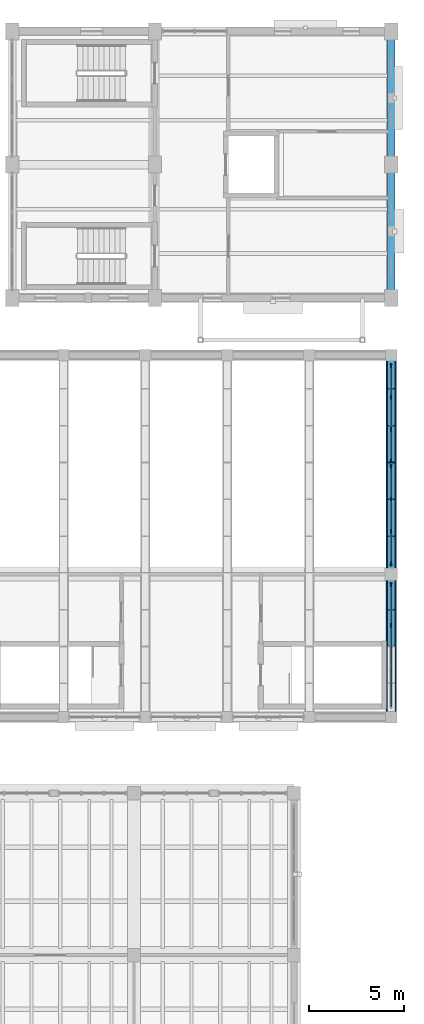
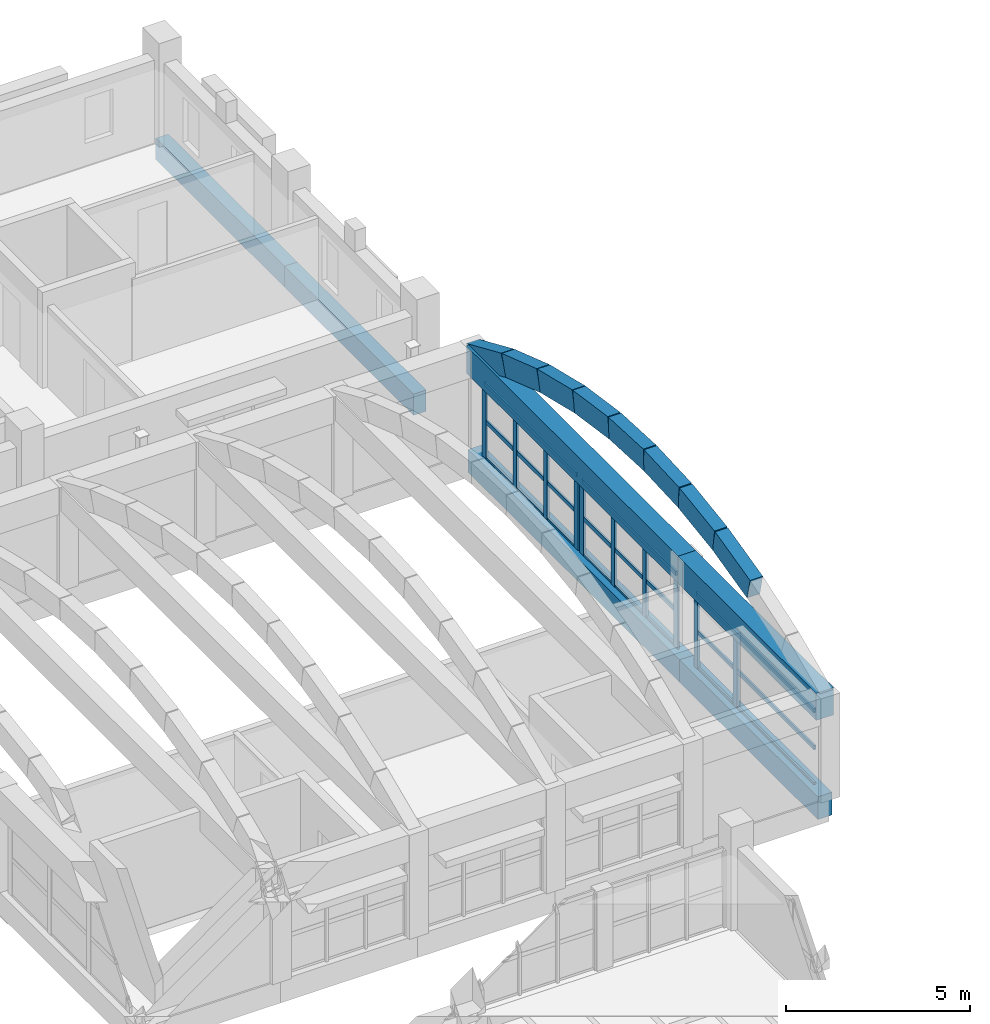
# One storey, part 45 of 77: 27 members, 6 beams, 3 elements without a shape of their own.
"""IFC4 building model written with IfcOpenShell, lengths in metres."""

import ifcopenshell
import ifcopenshell.guid

model = None  # the IFC model being written
_history = None  # IfcOwnerHistory: only IFC2X3 demands one
_inside = {}  # id of a spatial element -> (the spatial element, [elements in it])
_under = {}  # id of a project, library or spatial element -> (it, [spatial elements below it])
_declared = {}  # id of a project -> (the project, [libraries it declares])
_typed = {}  # id of a type object -> (the type object, [elements of that type])
_made_of = {}  # id of a material, layer set ... -> (it, [elements and type objects made of it])


def new_model(schema):
    """Start an empty IFC model of exactly this schema.

    Asked for "IFC4X3", IfcOpenShell would pick the latest addendum, in which some entities
    have other attributes; the version numbers below select the first issue.
    IFC2X3 requires an IfcOwnerHistory on every rooted entity: one is made here for all.
    """
    global model, _history
    if schema == "IFC4X3":
        model = ifcopenshell.file(schema_version=(4, 3, 0, 0))
    else:
        model = ifcopenshell.file(schema=schema)
    _inside.clear()
    _under.clear()
    _declared.clear()
    _typed.clear()
    _made_of.clear()
    _history = None
    if model.schema == "IFC2X3":
        org = make("IfcOrganization", Name="unknown")
        user = make(
            "IfcPersonAndOrganization",
            ThePerson=make("IfcPerson", FamilyName="unknown"),
            TheOrganization=org,
        )
        app = make(
            "IfcApplication",
            ApplicationDeveloper=org,
            Version="unknown",
            ApplicationFullName="unknown",
            ApplicationIdentifier="unknown",
        )
        _history = make(
            "IfcOwnerHistory",
            OwningUser=user,
            OwningApplication=app,
            ChangeAction="ADDED",
            CreationDate=0,
        )
    return model


def make(cls, **values):
    """One entity of the class cls with the attributes given. An attribute that is None is left unset."""
    return model.create_entity(
        cls, **{name: value for name, value in values.items() if value is not None}
    )


def rooted(cls, **values):
    """An entity with a GlobalId (a new one), such as an element, a storey or a relation."""
    return make(cls, GlobalId=ifcopenshell.guid.new(), OwnerHistory=_history, **values)


def si_unit(unit_type, name, prefix=None):
    """IfcSIUnit, for example si_unit("LENGTHUNIT", "METRE", prefix="MILLI")."""
    return make("IfcSIUnit", UnitType=unit_type, Prefix=prefix, Name=name)


def assignment(units):
    """IfcUnitAssignment: the units of a project."""
    return None if units is None else make("IfcUnitAssignment", Units=units)


def point(xyz):
    """IfcCartesianPoint."""
    return None if xyz is None else make("IfcCartesianPoint", Coordinates=xyz)


def direction(xyz):
    """IfcDirection."""
    return None if xyz is None else make("IfcDirection", DirectionRatios=xyz)


def frame(location, z_axis=None, x_axis=None):
    """IfcAxis2Placement3D, a coordinate frame: its origin and axes. An axis left out is left unset."""
    return make(
        "IfcAxis2Placement3D",
        Location=point(location),
        Axis=direction(z_axis),
        RefDirection=direction(x_axis),
    )


def frame_2d(location, x_axis=None):
    """IfcAxis2Placement2D, a coordinate frame in the plane: its origin and x axis."""
    return make(
        "IfcAxis2Placement2D", Location=point(location), RefDirection=direction(x_axis)
    )


def origin():
    """The frame at (0, 0, 0) with its axes left unset."""
    return frame((0.0, 0.0, 0.0))


def origin_2d():
    """The frame at (0, 0) in the plane with its x axis left unset."""
    return frame_2d((0.0, 0.0))


def place(relative_to, where):
    """IfcLocalPlacement: puts the frame where relative to a parent placement (None: the world)."""
    return make(
        "IfcLocalPlacement", PlacementRelTo=relative_to, RelativePlacement=where
    )


def context(
    kind, dimensions, precision=None, world=None, true_north=None, identifier=None
):
    """IfcGeometricRepresentationContext, for example the 3D "Model" context."""
    return make(
        "IfcGeometricRepresentationContext",
        ContextIdentifier=identifier,
        ContextType=kind,
        CoordinateSpaceDimension=dimensions,
        Precision=precision,
        WorldCoordinateSystem=world,
        TrueNorth=true_north,
    )


def subcontext(parent, identifier, kind, view, scale=None):
    """IfcGeometricRepresentationSubContext, for example "Body" below "Model"."""
    return make(
        "IfcGeometricRepresentationSubContext",
        ContextIdentifier=identifier,
        ContextType=kind,
        ParentContext=parent,
        TargetScale=scale,
        TargetView=view,
    )


def project(units=None, contexts=None):
    """IfcProject with its units and contexts."""
    return rooted(
        "IfcProject",
        Name="project",
        RepresentationContexts=contexts,
        UnitsInContext=assignment(units),
    )


def spatial(cls, under=None, at=None, **own):
    """A site, building, storey or space (cls), placed at a placement, below another one or the project."""
    s = rooted(cls, ObjectPlacement=at, **own)
    if under is not None:
        _under.setdefault(under.id(), (under, []))[1].append(s)
    return s


def profile(cls, at=None, kind="AREA", **sizes):
    """A parametric profile (cls). Its sizes go by their IFC names, for example OverallWidth=200.0."""
    return make(cls, ProfileType=kind, Position=at, **sizes)


def rectangle(**sizes):
    """IfcRectangleProfileDef."""
    return profile("IfcRectangleProfileDef", **sizes)


def extrude(swept, where, along, depth):
    """IfcExtrudedAreaSolid: the profile swept, set in the frame where, extruded along a direction by depth."""
    return make(
        "IfcExtrudedAreaSolid",
        SweptArea=swept,
        Position=where,
        ExtrudedDirection=direction(along),
        Depth=depth,
    )


def shape(context_of_items, identifier, shape_type, items):
    """IfcShapeRepresentation: the items that make up one representation, for example the "Body"."""
    return make(
        "IfcShapeRepresentation",
        ContextOfItems=context_of_items,
        RepresentationIdentifier=identifier,
        RepresentationType=shape_type,
        Items=items,
    )


def material(Name=None, Category=None):
    """IfcMaterial."""
    return make("IfcMaterial", Name=Name, Category=Category)


def layer(
    of_material, thickness, ventilated=None, Name=None, Category=None, Priority=None
):
    """IfcMaterialLayer: one layer of a wall or slab, of a material (None: an air gap)."""
    return make(
        "IfcMaterialLayer",
        Material=of_material,
        LayerThickness=thickness,
        IsVentilated=ventilated,
        Name=Name,
        Category=Category,
        Priority=Priority,
    )


def layer_set(layers, Name=None):
    """IfcMaterialLayerSet."""
    return make("IfcMaterialLayerSet", MaterialLayers=layers, LayerSetName=Name)


def material_profile(
    of_material, cross_section, Name=None, Category=None, Priority=None
):
    """IfcMaterialProfile: a cross section and its material."""
    return make(
        "IfcMaterialProfile",
        Name=Name,
        Material=of_material,
        Profile=cross_section,
        Priority=Priority,
        Category=Category,
    )


def profile_set(profiles, Name=None, composite=None):
    """IfcMaterialProfileSet."""
    return make(
        "IfcMaterialProfileSet",
        Name=Name,
        MaterialProfiles=profiles,
        CompositeProfile=composite,
    )


def made_of(thing, what):
    """Note that an element or type object is made of a material, layer set ...; save() writes the relation."""
    if what is not None:
        _made_of.setdefault(what.id(), (what, []))[1].append(thing)
    return thing


def type_object(cls, material=None, **own):
    """A type object (cls), such as IfcWallType, which elements share."""
    return made_of(rooted(cls, **own), material)


def element(
    cls,
    number,
    at=None,
    inside=None,
    cuts=None,
    type_object=None,
    material=None,
    context=None,
    identifier="Body",
    shape_type=None,
    held_by="IfcProductDefinitionShape",
    body=None,
    shapes=None,
    **own,
):
    """One element of the class cls, such as IfcWall. Its Tag is "e" and its number.

    at: its placement. inside: the storey or other place that contains it. cuts: it is an
    opening in that element (IfcRelVoidsElement). A single representation is given by context,
    identifier, shape_type and body (its items); several are given by shapes. held_by: the class
    of the entity that holds the representations. save() writes the other relations.
    """
    e = rooted(cls, Tag="e%d" % number, ObjectPlacement=at, **own)
    if body is not None:
        shapes = [shape(context, identifier, shape_type, body)]
    if shapes is not None:
        e.Representation = make(held_by, Representations=shapes)
    if inside is not None:
        _inside.setdefault(inside.id(), (inside, []))[1].append(e)
    if cuts is not None:
        rooted(
            "IfcRelVoidsElement", RelatingBuildingElement=cuts, RelatedOpeningElement=e
        )
    if type_object is not None:
        _typed.setdefault(type_object.id(), (type_object, []))[1].append(e)
    return made_of(e, material)


def aggregate(whole, parts):
    """IfcRelAggregates: a whole, such as a stair, and the parts it consists of."""
    return rooted("IfcRelAggregates", RelatingObject=whole, RelatedObjects=parts)


def save(model, path):
    """Write the relations noted so far, then the file.

    IfcRelAggregates (storeys below a building ...), IfcRelContainedInSpatialStructure (elements
    in a storey), IfcRelDefinesByType, IfcRelAssociatesMaterial and IfcRelDeclares: one each for
    every whole, place, type object, material and project.
    """
    for whole, parts in _under.values():
        aggregate(whole, parts)
    for where, things in _inside.values():
        rooted(
            "IfcRelContainedInSpatialStructure",
            RelatedElements=things,
            RelatingStructure=where,
        )
    for kind, things in _typed.values():
        rooted("IfcRelDefinesByType", RelatedObjects=things, RelatingType=kind)
    for what, things in _made_of.values():
        rooted("IfcRelAssociatesMaterial", RelatedObjects=things, RelatingMaterial=what)
    for by, libraries in _declared.values():
        rooted("IfcRelDeclares", RelatingContext=by, RelatedDefinitions=libraries)
    model.write(path)


model = new_model("IFC4")

# Units and contexts
model_context = context("Model", 3, precision=1e-05, world=origin(), true_north=direction((0.0, 1.0)))
body_context = subcontext(model_context, "Body", "Model", "MODEL_VIEW")
ifc_project = project(units=[si_unit("LENGTHUNIT", "METRE"), si_unit("AREAUNIT", "SQUARE_METRE"), si_unit("VOLUMEUNIT", "CUBIC_METRE"), si_unit("PLANEANGLEUNIT", "RADIAN"), si_unit("MASSUNIT", "GRAM", prefix="KILO")], contexts=[model_context])

# Site, building, storey
site_placement = place(None, origin())
site = spatial("IfcSite", under=ifc_project, at=site_placement, CompositionType="ELEMENT")
building_placement = place(site_placement, origin())
building = spatial("IfcBuilding", under=site, at=building_placement, Name="Trellovar Central Fire Station", CompositionType="ELEMENT")
storey_placement = place(building_placement, frame((0.0, 0.0, 5.85009765625)))
storey = spatial("IfcBuildingStorey", under=building, at=storey_placement, Name="L02", CompositionType="ELEMENT", Elevation=5.85009765625)

# Beams
ifc_material_1 = material(Name="Concrete C40/50", Category="concrete")
ifc_material_profile_1 = material_profile(ifc_material_1, rectangle(XDim=0.449951171875, YDim=0.75, at=origin_2d()), Name="RC450X750")
ifc_profile_set_1 = profile_set([ifc_material_profile_1], Name="Concrete C40/50")
beam_type_1 = type_object("IfcBeamType", Name="BM-G2", PredefinedType="BEAM", material=ifc_profile_set_1)
beam_1_placement = place(storey_placement, frame((161.0, 37.0, -0.375), z_axis=(0.0, 1.0, 0.0), x_axis=(-1.0, 0.0, 0.0)))
element("IfcBeam", 1, at=beam_1_placement, inside=storey, type_object=beam_type_1, Name="L02 beam G-2", PredefinedType="BEAM", context=body_context, shape_type="SweptSolid", body=[
    extrude(rectangle(XDim=0.449951171875, YDim=0.75, at=origin_2d()), origin(), (0.0, 0.0, 1.0), 7.5),
])
beam_2_placement = place(storey_placement, frame((161.0, 44.5, -0.375), z_axis=(0.0, 1.0, 0.0), x_axis=(-1.0, 0.0, 0.0)))
element("IfcBeam", 2, at=beam_2_placement, inside=storey, type_object=beam_type_1, Name="L02 beam G-2", PredefinedType="BEAM", context=body_context, shape_type="SweptSolid", body=[
    extrude(rectangle(XDim=0.449951171875, YDim=0.75, at=origin_2d()), origin(), (0.0, 0.0, 1.0), 11.5),
])
ifc_material_2 = material(Name="Concrete C40/50", Category="concrete")
ifc_material_profile_2 = material_profile(ifc_material_2, rectangle(XDim=0.39990234375, YDim=0.699951171875, at=origin_2d()), Name="RC400X700")
ifc_profile_set_2 = profile_set([ifc_material_profile_2], Name="Concrete C40/50")
beam_type_2 = type_object("IfcBeamType", Name="BM-G3", PredefinedType="BEAM", material=ifc_profile_set_2)
for number, where, z_axis, x_axis, name in (
    (3, (161.0, 59.0, -0.35009765625), (0.0, 1.0, 0.0), (-1.0, 0.0, 0.0), "L02 beam G-3"),
    (4, (161.0, 66.0, -0.35009765625), (0.0, 1.0, 0.0), (-1.0, 0.0, 0.0), "L02 beam G-3"),
):
    element("IfcBeam", number, at=place(storey_placement, frame(where, z_axis=z_axis, x_axis=x_axis)), inside=storey, type_object=beam_type_2, Name=name, PredefinedType="BEAM", context=body_context, shape_type="SweptSolid", body=[
        extrude(rectangle(XDim=0.39990234375, YDim=0.699951171875, at=origin_2d()), origin(), (0.0, 0.0, 1.0), 7.0),
    ])
ifc_material_3 = material(Name="Concrete C40/50", Category="concrete")
ifc_material_profile_3 = material_profile(ifc_material_3, rectangle(XDim=0.550048828125, YDim=0.89990234375, at=origin_2d()), Name="RC550X900")
ifc_profile_set_3 = profile_set([ifc_material_profile_3], Name="Concrete C40/50")
beam_type_3 = type_object("IfcBeamType", Name="BM-RG3", PredefinedType="BEAM", material=ifc_profile_set_3)
beam_3_placement = place(storey_placement, frame((161.0, 37.0, 3.0), z_axis=(0.0, 1.0, 0.0), x_axis=(-1.0, 0.0, 0.0)))
element("IfcBeam", 5, at=beam_3_placement, inside=storey, type_object=beam_type_3, Name="L02 beam RG-3", PredefinedType="BEAM", context=body_context, shape_type="SweptSolid", body=[
    extrude(rectangle(XDim=0.550048828125, YDim=0.89990234375, at=origin_2d()), origin(), (0.0, 0.0, 1.0), 7.5),
])
beam_4_placement = place(storey_placement, frame((161.0, 44.5, 3.0), z_axis=(0.0, 1.0, 0.0), x_axis=(-1.0, 0.0, 0.0)))
element("IfcBeam", 6, at=beam_4_placement, inside=storey, type_object=beam_type_3, Name="L02 beam RG-3", PredefinedType="BEAM", context=body_context, shape_type="SweptSolid", body=[
    extrude(rectangle(XDim=0.550048828125, YDim=0.89990234375, at=origin_2d()), origin(), (0.0, 0.0, 1.0), 11.5),
])

# Curtain wall, members
ifc_material_4 = material(Name="Thermally broken bronze anodized aluminum", Category="aluminium")
ifc_layer_1 = layer(ifc_material_4, 0.159912109375)
ifc_layer_set_1 = layer_set([ifc_layer_1], Name="Thermally broken bronze anodized aluminum")
curtain_wall_type_1 = type_object("IfcCurtainWallType", Name="CW-12", PredefinedType="NOTDEFINED", material=ifc_layer_set_1)
curtain_wall_1_placement = place(storey_placement, origin())
curtain_wall_1 = element("IfcCurtainWall", 7, at=curtain_wall_1_placement, inside=storey, type_object=curtain_wall_type_1, Name="V3 L02 E gallery CW", PredefinedType="NOTDEFINED")
ifc_material_5 = material(Name="Thermally broken bronze anodized aluminum", Category="aluminium")
ifc_material_profile_4 = material_profile(ifc_material_5, rectangle(XDim=0.074951171875, YDim=0.199951171875, at=origin_2d()), Name="ALU75X200")
ifc_profile_set_4 = profile_set([ifc_material_profile_4], Name="Thermally broken bronze anodized aluminum")
member_type_1 = type_object("IfcMemberType", Name="CWM-1", PredefinedType="MULLION", material=ifc_profile_set_4)
member_1_placement = place(storey_placement, frame((161.0, 41.816650390625, 0.0), z_axis=(0.0, 0.0, 1.0), x_axis=(1.0, 0.0, 0.0)))
member_1 = element("IfcMember", 8, at=member_1_placement, type_object=member_type_1, Name="CW3-L02-0151 mullion 3", PredefinedType="MULLION", context=body_context, shape_type="SweptSolid", body=[
    extrude(rectangle(XDim=0.074951171875, YDim=0.199951171875, at=origin_2d()), origin(), (0.0, 0.0, 1.0), 2.449951171875),
])
member_2_placement = place(storey_placement, frame((161.0, 43.949951171875, 0.0), z_axis=(0.0, 0.0, 1.0), x_axis=(1.0, 0.0, 0.0)))
member_2 = element("IfcMember", 9, at=member_2_placement, type_object=member_type_1, Name="CW3-L02-0151 mullion 4", PredefinedType="MULLION", context=body_context, shape_type="SweptSolid", body=[
    extrude(rectangle(XDim=0.074951171875, YDim=0.199951171875, at=origin_2d()), origin(), (0.0, 0.0, 1.0), 2.449951171875),
])

ifc_material_6 = material(Name="Thermally broken bronze anodized aluminum", Category="aluminium")
ifc_layer_2 = layer(ifc_material_6, 0.159912109375)
ifc_layer_set_2 = layer_set([ifc_layer_2], Name="Thermally broken bronze anodized aluminum")
curtain_wall_type_2 = type_object("IfcCurtainWallType", Name="CW-13", PredefinedType="NOTDEFINED", material=ifc_layer_set_2)
curtain_wall_2_placement = place(storey_placement, origin())
curtain_wall_2 = element("IfcCurtainWall", 10, at=curtain_wall_2_placement, inside=storey, type_object=curtain_wall_type_2, Name="V3 L02 E auditorium clerestory S", PredefinedType="NOTDEFINED")
member_3_placement = place(storey_placement, frame((161.0, 45.050048828125, 0.0), z_axis=(0.0, 0.0, 1.0), x_axis=(1.0, 0.0, 0.0)))
member_3 = element("IfcMember", 11, at=member_3_placement, type_object=member_type_1, Name="CW3-L02-0152 mullion 1", PredefinedType="MULLION", context=body_context, shape_type="SweptSolid", body=[
    extrude(rectangle(XDim=0.074951171875, YDim=0.199951171875, at=origin_2d()), origin(), (0.0, 0.0, 1.0), 2.449951171875),
])
member_4_placement = place(storey_placement, frame((161.0, 46.75, 0.0), z_axis=(0.0, 0.0, 1.0), x_axis=(1.0, 0.0, 0.0)))
member_4 = element("IfcMember", 12, at=member_4_placement, type_object=member_type_1, Name="CW3-L02-0152 mullion 2", PredefinedType="MULLION", context=body_context, shape_type="SweptSolid", body=[
    extrude(rectangle(XDim=0.074951171875, YDim=0.199951171875, at=origin_2d()), origin(), (0.0, 0.0, 1.0), 2.449951171875),
])
member_5_placement = place(storey_placement, frame((161.0, 48.449951171875, 0.0), z_axis=(0.0, 0.0, 1.0), x_axis=(1.0, 0.0, 0.0)))
member_5 = element("IfcMember", 13, at=member_5_placement, type_object=member_type_1, Name="CW3-L02-0152 mullion 3", PredefinedType="MULLION", context=body_context, shape_type="SweptSolid", body=[
    extrude(rectangle(XDim=0.074951171875, YDim=0.199951171875, at=origin_2d()), origin(), (0.0, 0.0, 1.0), 2.449951171875),
])
member_6_placement = place(storey_placement, frame((161.0, 50.14990234375, 0.0), z_axis=(0.0, 0.0, 1.0), x_axis=(1.0, 0.0, 0.0)))
member_6 = element("IfcMember", 14, at=member_6_placement, type_object=member_type_1, Name="CW3-L02-0152 mullion 4", PredefinedType="MULLION", context=body_context, shape_type="SweptSolid", body=[
    extrude(rectangle(XDim=0.074951171875, YDim=0.199951171875, at=origin_2d()), origin(), (0.0, 0.0, 1.0), 2.449951171875),
])

curtain_wall_3_placement = place(storey_placement, origin())
curtain_wall_3 = element("IfcCurtainWall", 15, at=curtain_wall_3_placement, inside=storey, type_object=curtain_wall_type_2, Name="V3 L02 E auditorium clerestory N", PredefinedType="NOTDEFINED")
member_7_placement = place(storey_placement, frame((161.0, 50.449951171875, 0.0), z_axis=(0.0, 0.0, 1.0), x_axis=(1.0, 0.0, 0.0)))
member_7 = element("IfcMember", 16, at=member_7_placement, type_object=member_type_1, Name="CW3-L02-0153 mullion 1", PredefinedType="MULLION", context=body_context, shape_type="SweptSolid", body=[
    extrude(rectangle(XDim=0.074951171875, YDim=0.199951171875, at=origin_2d()), origin(), (0.0, 0.0, 1.0), 2.449951171875),
])
member_8_placement = place(storey_placement, frame((161.0, 52.11669921875, 0.0), z_axis=(0.0, 0.0, 1.0), x_axis=(1.0, 0.0, 0.0)))
member_8 = element("IfcMember", 17, at=member_8_placement, type_object=member_type_1, Name="CW3-L02-0153 mullion 2", PredefinedType="MULLION", context=body_context, shape_type="SweptSolid", body=[
    extrude(rectangle(XDim=0.074951171875, YDim=0.199951171875, at=origin_2d()), origin(), (0.0, 0.0, 1.0), 2.449951171875),
])
member_9_placement = place(storey_placement, frame((161.0, 53.783203125, 0.0), z_axis=(0.0, 0.0, 1.0), x_axis=(1.0, 0.0, 0.0)))
member_9 = element("IfcMember", 18, at=member_9_placement, type_object=member_type_1, Name="CW3-L02-0153 mullion 3", PredefinedType="MULLION", context=body_context, shape_type="SweptSolid", body=[
    extrude(rectangle(XDim=0.074951171875, YDim=0.199951171875, at=origin_2d()), origin(), (0.0, 0.0, 1.0), 2.449951171875),
])
member_10_placement = place(storey_placement, frame((161.0, 55.449951171875, 0.0), z_axis=(0.0, 0.0, 1.0), x_axis=(1.0, 0.0, 0.0)))
member_10 = element("IfcMember", 19, at=member_10_placement, type_object=member_type_1, Name="CW3-L02-0153 mullion 4", PredefinedType="MULLION", context=body_context, shape_type="SweptSolid", body=[
    extrude(rectangle(XDim=0.074951171875, YDim=0.199951171875, at=origin_2d()), origin(), (0.0, 0.0, 1.0), 2.449951171875),
])

# Member
ifc_material_7 = material(Name="Thermally broken bronze anodized aluminum", Category="aluminium")
ifc_material_profile_5 = material_profile(ifc_material_7, rectangle(XDim=0.06005859375, YDim=0.139892578125, at=origin_2d()), Name="ALU60X140")
ifc_profile_set_5 = profile_set([ifc_material_profile_5], Name="Thermally broken bronze anodized aluminum")
member_type_2 = type_object("IfcMemberType", Name="CWT-1", PredefinedType="USERDEFINED", material=ifc_profile_set_5)
member_11_placement = place(storey_placement, frame((161.0, 37.550048828125, 0.0), z_axis=(0.0, 1.0, 0.0), x_axis=(-1.0, 0.0, 0.0)))
member_11 = element("IfcMember", 20, at=member_11_placement, type_object=member_type_2, Name="CW3-L02-0151 transom 1", ObjectType="TRANSOM", PredefinedType="USERDEFINED", context=body_context, shape_type="SweptSolid", body=[
    extrude(rectangle(XDim=0.06005859375, YDim=0.139892578125, at=origin_2d()), origin(), (0.0, 0.0, 1.0), 6.39990234375),
])

member_12_placement = place(storey_placement, frame((161.0, 37.550048828125, 1.224853515625), z_axis=(0.0, 1.0, 0.0), x_axis=(-1.0, 0.0, 0.0)))
member_12 = element("IfcMember", 21, at=member_12_placement, type_object=member_type_2, Name="CW3-L02-0151 transom 2", ObjectType="TRANSOM", PredefinedType="USERDEFINED", context=body_context, shape_type="SweptSolid", body=[
    extrude(rectangle(XDim=0.06005859375, YDim=0.139892578125, at=origin_2d()), origin(), (0.0, 0.0, 1.0), 6.39990234375),
])

member_13_placement = place(storey_placement, frame((161.0, 37.550048828125, 2.449951171875), z_axis=(0.0, 1.0, 0.0), x_axis=(-1.0, 0.0, 0.0)))
member_13 = element("IfcMember", 22, at=member_13_placement, type_object=member_type_2, Name="CW3-L02-0151 transom 3", ObjectType="TRANSOM", PredefinedType="USERDEFINED", context=body_context, shape_type="SweptSolid", body=[
    extrude(rectangle(XDim=0.06005859375, YDim=0.139892578125, at=origin_2d()), origin(), (0.0, 0.0, 1.0), 6.39990234375),
])

aggregate(curtain_wall_1, [member_1, member_2, member_11, member_12, member_13])

member_14_placement = place(storey_placement, frame((161.0, 45.050048828125, 0.0), z_axis=(0.0, 1.0, 0.0), x_axis=(-1.0, 0.0, 0.0)))
member_14 = element("IfcMember", 23, at=member_14_placement, type_object=member_type_2, Name="CW3-L02-0152 transom 1", ObjectType="TRANSOM", PredefinedType="USERDEFINED", context=body_context, shape_type="SweptSolid", body=[
    extrude(rectangle(XDim=0.06005859375, YDim=0.139892578125, at=origin_2d()), origin(), (0.0, 0.0, 1.0), 5.099853515625),
])

member_15_placement = place(storey_placement, frame((161.0, 45.050048828125, 1.224853515625), z_axis=(0.0, 1.0, 0.0), x_axis=(-1.0, 0.0, 0.0)))
member_15 = element("IfcMember", 24, at=member_15_placement, type_object=member_type_2, Name="CW3-L02-0152 transom 2", ObjectType="TRANSOM", PredefinedType="USERDEFINED", context=body_context, shape_type="SweptSolid", body=[
    extrude(rectangle(XDim=0.06005859375, YDim=0.139892578125, at=origin_2d()), origin(), (0.0, 0.0, 1.0), 5.099853515625),
])

member_16_placement = place(storey_placement, frame((161.0, 45.050048828125, 2.449951171875), z_axis=(0.0, 1.0, 0.0), x_axis=(-1.0, 0.0, 0.0)))
member_16 = element("IfcMember", 25, at=member_16_placement, type_object=member_type_2, Name="CW3-L02-0152 transom 3", ObjectType="TRANSOM", PredefinedType="USERDEFINED", context=body_context, shape_type="SweptSolid", body=[
    extrude(rectangle(XDim=0.06005859375, YDim=0.139892578125, at=origin_2d()), origin(), (0.0, 0.0, 1.0), 5.099853515625),
])

aggregate(curtain_wall_2, [member_3, member_4, member_5, member_6, member_14, member_15, member_16])

member_17_placement = place(storey_placement, frame((161.0, 50.449951171875, 0.0), z_axis=(0.0, 1.0, 0.0), x_axis=(-1.0, 0.0, 0.0)))
member_17 = element("IfcMember", 26, at=member_17_placement, type_object=member_type_2, Name="CW3-L02-0153 transom 1", ObjectType="TRANSOM", PredefinedType="USERDEFINED", context=body_context, shape_type="SweptSolid", body=[
    extrude(rectangle(XDim=0.06005859375, YDim=0.139892578125, at=origin_2d()), origin(), (0.0, 0.0, 1.0), 5.0),
])

member_18_placement = place(storey_placement, frame((161.0, 50.449951171875, 1.224853515625), z_axis=(0.0, 1.0, 0.0), x_axis=(-1.0, 0.0, 0.0)))
member_18 = element("IfcMember", 27, at=member_18_placement, type_object=member_type_2, Name="CW3-L02-0153 transom 2", ObjectType="TRANSOM", PredefinedType="USERDEFINED", context=body_context, shape_type="SweptSolid", body=[
    extrude(rectangle(XDim=0.06005859375, YDim=0.139892578125, at=origin_2d()), origin(), (0.0, 0.0, 1.0), 5.0),
])

member_19_placement = place(storey_placement, frame((161.0, 50.449951171875, 2.449951171875), z_axis=(0.0, 1.0, 0.0), x_axis=(-1.0, 0.0, 0.0)))
member_19 = element("IfcMember", 28, at=member_19_placement, type_object=member_type_2, Name="CW3-L02-0153 transom 3", ObjectType="TRANSOM", PredefinedType="USERDEFINED", context=body_context, shape_type="SweptSolid", body=[
    extrude(rectangle(XDim=0.06005859375, YDim=0.139892578125, at=origin_2d()), origin(), (0.0, 0.0, 1.0), 5.0),
])

aggregate(curtain_wall_3, [member_7, member_8, member_9, member_10, member_17, member_18, member_19])

# Members
ifc_material_8 = material(Name="Concrete C40/50", Category="concrete")
ifc_material_profile_6 = material_profile(ifc_material_8, rectangle(XDim=0.39990234375, YDim=0.699951171875, at=origin_2d()), Name="RC400X700")
ifc_profile_set_6 = profile_set([ifc_material_profile_6], Name="Concrete C40/50")
member_type_3 = type_object("IfcMemberType", Name="MEM-LR1", PredefinedType="CHORD", material=ifc_profile_set_6)
member_20_placement = place(storey_placement, frame((161.0, 40.800048828125, 4.572021484375), z_axis=(0.0, 0.971922850781, 0.235299749534), x_axis=(-1.0, 0.0, 0.0)))
element("IfcMember", 29, at=member_20_placement, inside=storey, type_object=member_type_3, Name="Lecture vault arch rib LR-06 chord 03", PredefinedType="CHORD", context=body_context, shape_type="SweptSolid", body=[
    extrude(rectangle(XDim=0.39990234375, YDim=0.699951171875, at=origin_2d()), origin(), (0.0, 0.0, 1.0), 1.954833984375),
])
member_21_placement = place(storey_placement, frame((161.0, 42.699951171875, 5.031982421875), z_axis=(0.0, 0.989623946132, 0.143681749856), x_axis=(-1.0, 0.0, 0.0)))
element("IfcMember", 30, at=member_21_placement, inside=storey, type_object=member_type_3, Name="Lecture vault arch rib LR-06 chord 04", PredefinedType="CHORD", context=body_context, shape_type="SweptSolid", body=[
    extrude(rectangle(XDim=0.39990234375, YDim=0.699951171875, at=origin_2d()), origin(), (0.0, 0.0, 1.0), 1.920166015625),
])
for number, where, z_axis, x_axis, name in (
    (31, (161.0, 44.60009765625, 5.307861328125), (0.0, 0.9988285962, 0.048388380978), (-1.0, 0.0, 0.0), "Lecture vault arch rib LR-06 chord 05"),
    (32, (161.0, 46.5, 5.39990234375), (0.0, 0.9988285962, -0.048388380978), (-1.0, 0.0, 0.0), "Lecture vault arch rib LR-06 chord 06"),
):
    element("IfcMember", number, at=place(storey_placement, frame(where, z_axis=z_axis, x_axis=x_axis)), inside=storey, type_object=member_type_3, Name=name, PredefinedType="CHORD", context=body_context, shape_type="SweptSolid", body=[
        extrude(rectangle(XDim=0.39990234375, YDim=0.699951171875, at=origin_2d()), origin(), (0.0, 0.0, 1.0), 1.902099609375),
    ])
member_22_placement = place(storey_placement, frame((161.0, 48.39990234375, 5.307861328125), z_axis=(0.0, 0.989623946132, -0.143681749856), x_axis=(-1.0, 0.0, 0.0)))
element("IfcMember", 33, at=member_22_placement, inside=storey, type_object=member_type_3, Name="Lecture vault arch rib LR-06 chord 07", PredefinedType="CHORD", context=body_context, shape_type="SweptSolid", body=[
    extrude(rectangle(XDim=0.39990234375, YDim=0.699951171875, at=origin_2d()), origin(), (0.0, 0.0, 1.0), 1.920166015625),
])
member_23_placement = place(storey_placement, frame((161.0, 50.300048828125, 5.031982421875), z_axis=(0.0, 0.971922850781, -0.235299749534), x_axis=(-1.0, 0.0, 0.0)))
element("IfcMember", 34, at=member_23_placement, inside=storey, type_object=member_type_3, Name="Lecture vault arch rib LR-06 chord 08", PredefinedType="CHORD", context=body_context, shape_type="SweptSolid", body=[
    extrude(rectangle(XDim=0.39990234375, YDim=0.699951171875, at=origin_2d()), origin(), (0.0, 0.0, 1.0), 1.954833984375),
])
member_24_placement = place(storey_placement, frame((161.0, 52.199951171875, 4.572021484375), z_axis=(0.0, 0.947077166316, -0.321005982878), x_axis=(-1.0, 0.0, 0.0)))
element("IfcMember", 35, at=member_24_placement, inside=storey, type_object=member_type_3, Name="Lecture vault arch rib LR-06 chord 09", PredefinedType="CHORD", context=body_context, shape_type="SweptSolid", body=[
    extrude(rectangle(XDim=0.39990234375, YDim=0.699951171875, at=origin_2d()), origin(), (0.0, 0.0, 1.0), 2.00634765625),
])
member_25_placement = place(storey_placement, frame((161.0, 54.10009765625, 3.927978515625), z_axis=(0.0, 0.916702602912, -0.399570191349), x_axis=(-1.0, 0.0, 0.0)))
element("IfcMember", 36, at=member_25_placement, inside=storey, type_object=member_type_3, Name="Lecture vault arch rib LR-06 chord 10", PredefinedType="CHORD", context=body_context, shape_type="SweptSolid", body=[
    extrude(rectangle(XDim=0.39990234375, YDim=0.699951171875, at=origin_2d()), origin(), (0.0, 0.0, 1.0), 2.072509765625),
])

save(model, "model.ifc")
